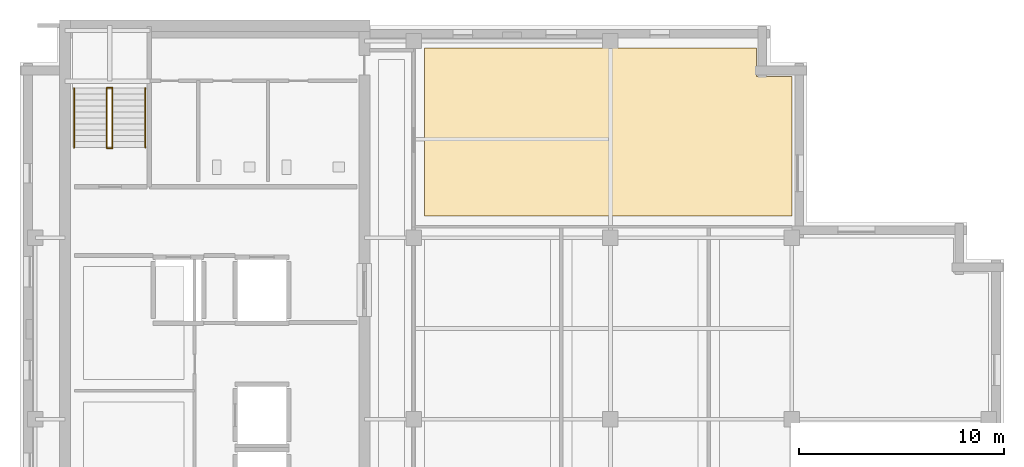
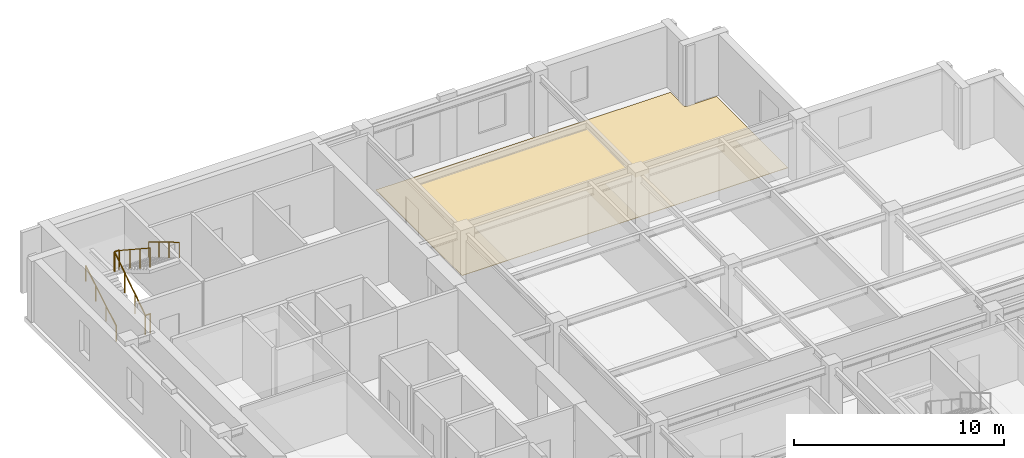
# One storey, part 9 of 10: 6 railings, 1 covering.
"""IFC4 building model written with IfcOpenShell, lengths in metres."""

from ifc_helpers import new_model, si_unit, direction, frame, origin, origin_2d, place, context, subcontext, project, spatial, polyline, circle, outline, extrude, material, layer, layer_set, type_object, element, save


model = new_model("IFC4")

# Units and contexts
model_context = context("Model", 3, precision=1e-05, world=origin(), true_north=direction((0.0, 1.0)))
body_context = subcontext(model_context, "Body", "Model", "MODEL_VIEW")
ifc_project = project(units=[si_unit("LENGTHUNIT", "METRE"), si_unit("AREAUNIT", "SQUARE_METRE"), si_unit("VOLUMEUNIT", "CUBIC_METRE"), si_unit("PLANEANGLEUNIT", "RADIAN"), si_unit("MASSUNIT", "GRAM", prefix="KILO")], contexts=[model_context])

# Site, building, storey
site_placement = place(None, origin())
site = spatial("IfcSite", under=ifc_project, at=site_placement, CompositionType="ELEMENT")
building_placement = place(site_placement, origin())
building = spatial("IfcBuilding", under=site, at=building_placement, Name="Norrvale University Quadrangle", CompositionType="ELEMENT")
storey_placement = place(building_placement, frame((0.0, 0.0, 273.39990234375)))
storey = spatial("IfcBuildingStorey", under=building, at=storey_placement, Name="L69", CompositionType="ELEMENT", Elevation=273.39990234375)

# Covering
ifc_material_1 = material(Name="Polished Terrazzo Flooring")
ifc_layer = layer(ifc_material_1, 0.02490234375, Name="Polished Terrazzo Flooring")
ifc_layer_set = layer_set([ifc_layer], Name="Polished Terrazzo Flooring")
covering_type = type_object("IfcCoveringType", Name="Covering Terrazzo Floor 30", PredefinedType="FLOORING", material=ifc_layer_set)
covering_placement = place(storey_placement, origin())
element("IfcCovering", 1, at=covering_placement, inside=storey, type_object=covering_type, Name="Terrazzo Flooring RM-L69-NE01", PredefinedType="FLOORING", context=body_context, shape_type="SweptSolid", body=[
    extrude(outline(polyline([(37.64990234375, 38.7099609375), (19.72998046875, 38.7099609375), (19.72998046875, 46.919921875), (35.929931640625, 46.919921875), (35.929931640625, 45.530029296875), (37.64990234375, 45.530029296875), (37.64990234375, 38.7099609375)])), origin(), (0.0, 0.0, 1.0), 0.025146484375),
])

# Railings
ifc_material_2 = material(Name="Steel 350W Painted Balustrade", Category="steel")
railing_type_1 = type_object("IfcRailingType", Name="Railing Stair Guard 1100", PredefinedType="GUARDRAIL", material=ifc_material_2)
for number, where, name in (
    (2, (4.239990234375, 42.02001953125, 0.0), "Stair Floor Well Guard ST-02 L69"),
    (3, (4.239990234375, 44.97998046875, 1.900146484375), "Stair Mid-Landing Slot Guard ST-02 L69"),
):
    element("IfcRailing", number, at=place(storey_placement, frame(where)), inside=storey, type_object=railing_type_1, Name=name, PredefinedType="GUARDRAIL", context=body_context, shape_type="SweptSolid", body=[
        extrude(circle(Radius=0.02392578125, at=origin_2d()), frame((0.0, 0.0, 1.1259765625), z_axis=(1.0, 0.0, 0.0), x_axis=(0.0, 1.0, 0.0)), (0.0, 0.0, 1.0), 0.27001953125),
        extrude(circle(Radius=0.02099609375, at=origin_2d()), origin(), (0.0, 0.0, 1.0), 1.101806640625),
        extrude(circle(Radius=0.02099609375, at=origin_2d()), frame((0.27001953125, 0.0, 0.0)), (0.0, 0.0, 1.0), 1.101806640625),
    ])
railing_1_placement = place(storey_placement, frame((4.239990234375, 42.050048828125, 0.0)))
element("IfcRailing", 4, at=railing_1_placement, inside=storey, type_object=railing_type_1, Name="Stair Lower Flight Inner Guard ST-02 L69", PredefinedType="GUARDRAIL", context=body_context, shape_type="SweptSolid", body=[
    extrude(circle(Radius=0.02392578125, at=origin_2d()), frame((0.0, 0.0, 1.1259765625), z_axis=(0.0, 0.836433300813, 0.548068730445), x_axis=(-1.0, 0.0, 0.0)), (0.0, 0.0, 1.0), 3.467041015625),
    extrude(circle(Radius=0.02099609375, at=origin_2d()), origin(), (0.0, 0.0, 1.0), 1.101806640625),
    extrude(circle(Radius=0.02099609375, at=origin_2d()), frame((0.0, 0.966552734375, 0.63330078125)), (0.0, 0.0, 1.0), 1.101806640625),
    extrude(circle(Radius=0.02099609375, at=origin_2d()), frame((0.0, 1.933349609375, 1.266845703125)), (0.0, 0.0, 1.0), 1.101806640625),
    extrude(circle(Radius=0.02099609375, at=origin_2d()), frame((0.0, 2.89990234375, 1.900146484375)), (0.0, 0.0, 1.0), 1.101806640625),
])
railing_2_placement = place(storey_placement, frame((4.510009765625, 44.949951171875, 1.900146484375)))
element("IfcRailing", 5, at=railing_2_placement, inside=storey, type_object=railing_type_1, Name="Stair Upper Flight Inner Guard ST-02 L69", PredefinedType="GUARDRAIL", context=body_context, shape_type="SweptSolid", body=[
    extrude(circle(Radius=0.02392578125, at=origin_2d()), frame((0.0, 0.0, 1.1259765625), z_axis=(0.0, -0.836465582154, 0.548019461216), x_axis=(1.0, 0.0, 0.0)), (0.0, 0.0, 1.0), 3.466796875),
    extrude(circle(Radius=0.02099609375, at=origin_2d()), origin(), (0.0, 0.0, 1.0), 1.101806640625),
    extrude(circle(Radius=0.02099609375, at=origin_2d()), frame((0.0, -0.966552734375, 0.63330078125)), (0.0, 0.0, 1.0), 1.101806640625),
    extrude(circle(Radius=0.02099609375, at=origin_2d()), frame((0.0, -1.933349609375, 1.2666015625)), (0.0, 0.0, 1.0), 1.101806640625),
    extrude(circle(Radius=0.02099609375, at=origin_2d()), frame((0.0, -2.89990234375, 1.89990234375)), (0.0, 0.0, 1.0), 1.101806640625),
])
ifc_material_3 = material(Name="Stainless Steel 316L Handrail", Category="steel")
railing_type_2 = type_object("IfcRailingType", Name="Railing Stair Handrail 920", PredefinedType="HANDRAIL", material=ifc_material_3)
railing_3_placement = place(storey_placement, frame((2.639892578125, 42.050048828125, 0.1728515625)))
element("IfcRailing", 6, at=railing_3_placement, inside=storey, type_object=railing_type_2, Name="Stair Lower Flight Handrail ST-02 L69", PredefinedType="HANDRAIL", context=body_context, shape_type="SweptSolid", body=[
    extrude(circle(Radius=0.02392578125, at=origin_2d()), frame((0.0, 0.0, 0.89599609375), z_axis=(0.0, 0.859141464434, 0.511738159696), x_axis=(-1.0, 0.0, 0.0)), (0.0, 0.0, 1.0), 3.375244140625),
    extrude(circle(Radius=0.02099609375, at=origin_2d()), origin(), (0.0, 0.0, 1.0), 0.871826171875),
    extrude(circle(Radius=0.02099609375, at=origin_2d()), frame((0.0, 0.966552734375, 0.57568359375)), (0.0, 0.0, 1.0), 0.871826171875),
    extrude(circle(Radius=0.02099609375, at=origin_2d()), frame((0.0, 1.933349609375, 1.151611328125)), (0.0, 0.0, 1.0), 0.871826171875),
    extrude(circle(Radius=0.02099609375, at=origin_2d()), frame((0.0, 2.89990234375, 1.727294921875)), (0.0, 0.0, 1.0), 0.871826171875),
])
railing_4_placement = place(storey_placement, frame((6.110107421875, 44.949951171875, 2.07275390625)))
element("IfcRailing", 7, at=railing_4_placement, inside=storey, type_object=railing_type_2, Name="Stair Upper Flight Handrail ST-02 L69", PredefinedType="HANDRAIL", context=body_context, shape_type="SweptSolid", body=[
    extrude(circle(Radius=0.02392578125, at=origin_2d()), frame((0.0, 0.0, 0.89599609375), z_axis=(0.0, -0.859141464434, 0.511738159696), x_axis=(1.0, 0.0, 0.0)), (0.0, 0.0, 1.0), 3.375244140625),
    extrude(circle(Radius=0.02099609375, at=origin_2d()), origin(), (0.0, 0.0, 1.0), 0.871826171875),
    extrude(circle(Radius=0.02099609375, at=origin_2d()), frame((0.0, -0.966552734375, 0.57568359375)), (0.0, 0.0, 1.0), 0.871826171875),
    extrude(circle(Radius=0.02099609375, at=origin_2d()), frame((0.0, -1.933349609375, 1.151611328125)), (0.0, 0.0, 1.0), 0.871826171875),
    extrude(circle(Radius=0.02099609375, at=origin_2d()), frame((0.0, -2.89990234375, 1.727294921875)), (0.0, 0.0, 1.0), 0.871826171875),
])

save(model, "model.ifc")
